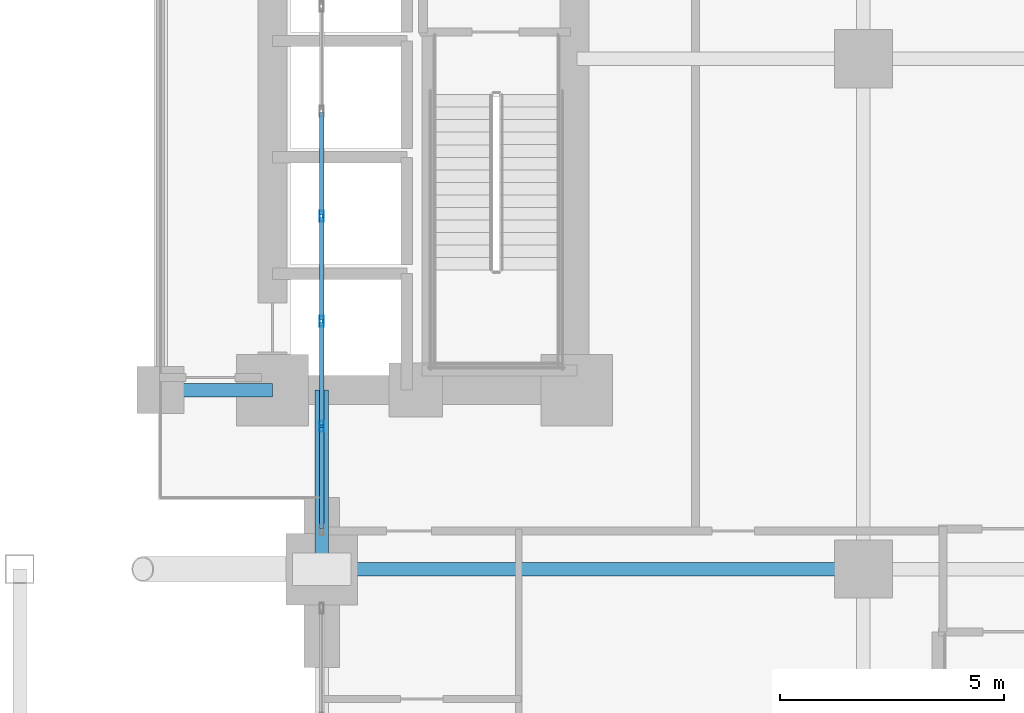
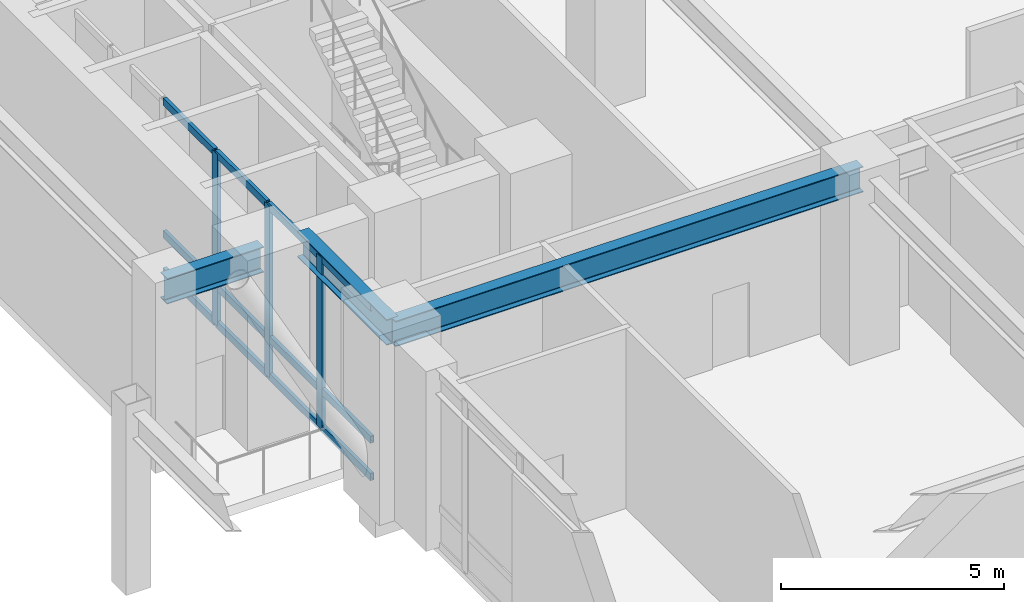
# One storey, part 8 of 27: 15 members, 3 beams, 1 element without a shape of its own.
"""IFC4 building model written with IfcOpenShell, lengths in metres."""

from ifc_helpers import new_model, si_unit, direction, frame, origin, origin_2d, place, context, subcontext, project, spatial, hollow_rectangle, i_section, extrude, material, layer, layer_set, material_profile, profile_set, type_object, element, aggregate, save


model = new_model("IFC4")

# Units and contexts
model_context = context("Model", 3, precision=1e-05, world=origin(), true_north=direction((0.0, 1.0)))
body_context = subcontext(model_context, "Body", "Model", "MODEL_VIEW")
ifc_project = project(units=[si_unit("LENGTHUNIT", "METRE"), si_unit("AREAUNIT", "SQUARE_METRE"), si_unit("VOLUMEUNIT", "CUBIC_METRE"), si_unit("PLANEANGLEUNIT", "RADIAN"), si_unit("MASSUNIT", "GRAM", prefix="KILO")], contexts=[model_context])

# Site, building, storey
site_placement = place(None, origin())
site = spatial("IfcSite", under=ifc_project, at=site_placement, CompositionType="ELEMENT")
building_placement = place(site_placement, origin())
building = spatial("IfcBuilding", under=site, at=building_placement, Name="Voryun Gate Residences", CompositionType="ELEMENT")
storey_placement = place(building_placement, frame((0.0, 0.0, 5.199951171875)))
storey = spatial("IfcBuildingStorey", under=building, at=storey_placement, Name="L01", CompositionType="ELEMENT", Elevation=5.199951171875)

# Beams
ifc_material_1 = material(Name="Steel SM355", Category="steel")
ifc_material_profile_1 = material_profile(ifc_material_1, i_section(OverallWidth=0.300048828125, OverallDepth=0.699951171875, WebThickness=0.012939453125, FlangeThickness=0.02392578125, FilletRadius=0.01806640625, at=origin_2d()), Name="H-700x300x13x24")
ifc_profile_set_1 = profile_set([ifc_material_profile_1], Name="Steel SM355")
beam_type = type_object("IfcBeamType", Name="BM_GIRD_700", PredefinedType="USERDEFINED", material=ifc_profile_set_1)
beam_1_placement = place(storey_placement, frame((12.39990234375, -7.39990234375, 4.570068359375), z_axis=(-1.0, 0.0, 0.0), x_axis=(0.0, -1.0, 0.0)))
element("IfcBeam", 1, at=beam_1_placement, inside=storey, type_object=beam_type, Name="BM-L01-CLRX-CLR-ES", ObjectType="GIRDER", PredefinedType="USERDEFINED", context=body_context, shape_type="SweptSolid", body=[
    extrude(i_section(OverallWidth=0.300048828125, OverallDepth=0.699951171875, WebThickness=0.012939453125, FlangeThickness=0.02392578125, FilletRadius=0.01806640625, at=origin_2d()), origin(), (0.0, 0.0, 1.0), 2.5),
])
beam_2_placement = place(storey_placement, frame((13.5, -11.39990234375, 4.570068359375), z_axis=(1.0, 0.0, 0.0), x_axis=(0.0, 1.0, 0.0)))
element("IfcBeam", 2, at=beam_2_placement, inside=storey, type_object=beam_type, Name="BM-L01-PEX--11.4-0", ObjectType="GIRDER", PredefinedType="USERDEFINED", context=body_context, shape_type="SweptSolid", body=[
    extrude(i_section(OverallWidth=0.300048828125, OverallDepth=0.699951171875, WebThickness=0.012939453125, FlangeThickness=0.02392578125, FilletRadius=0.01806640625, at=origin_2d()), origin(), (0.0, 0.0, 1.0), 12.10009765625),
])
beam_3_placement = place(storey_placement, frame((13.5, -11.39990234375, 4.570068359375), z_axis=(0.0, 1.0, 0.0), x_axis=(-1.0, 0.0, 0.0)))
element("IfcBeam", 3, at=beam_3_placement, inside=storey, type_object=beam_type, Name="BM-L01-PEYA--11.4", ObjectType="GIRDER", PredefinedType="USERDEFINED", context=body_context, shape_type="SweptSolid", body=[
    extrude(i_section(OverallWidth=0.300048828125, OverallDepth=0.699951171875, WebThickness=0.012939453125, FlangeThickness=0.02392578125, FilletRadius=0.01806640625, at=origin_2d()), origin(), (0.0, 0.0, 1.0), 4.0),
])

# Curtain wall, members
ifc_material_2 = material(Name="Anodised aluminium", Category="aluminium")
ifc_layer = layer(ifc_material_2, 0.239990234375, Name="CW_SYS_ARCH_DARK_GLASS")
ifc_layer_set = layer_set([ifc_layer], Name="Anodised aluminium")
curtain_wall_type = type_object("IfcCurtainWallType", Name="CW_SYS_ARCH_DARK_GLASS", PredefinedType="NOTDEFINED", material=ifc_layer_set)
curtain_wall_placement = place(storey_placement, origin())
curtain_wall = element("IfcCurtainWall", 4, at=curtain_wall_placement, inside=storey, type_object=curtain_wall_type, Name="Curtain wall CW2-L01-EP-M", PredefinedType="NOTDEFINED")
ifc_material_3 = material(Name="Anodised aluminium", Category="aluminium")
ifc_material_profile_2 = material_profile(ifc_material_3, hollow_rectangle(XDim=0.090087890625, YDim=0.239990234375, WallThickness=0.006103515625, at=origin_2d()), Name="ALU-MULL-240x90x6")
ifc_profile_set_2 = profile_set([ifc_material_profile_2], Name="Anodised aluminium")
member_type_1 = type_object("IfcMemberType", Name="CW_MULL_ARCH", PredefinedType="MULLION", material=ifc_profile_set_2)
member_1_placement = place(storey_placement, frame((13.5, -8.20947265625, 0.0), z_axis=(0.0, 0.0, 1.0), x_axis=(-1.0, 0.0, 0.0)))
member_1 = element("IfcMember", 5, at=member_1_placement, type_object=member_type_1, Name="CW2 mullion 2", PredefinedType="MULLION", context=body_context, shape_type="SweptSolid", body=[
    extrude(hollow_rectangle(XDim=0.090087890625, YDim=0.239990234375, WallThickness=0.006103515625, at=origin_2d()), origin(), (0.0, 0.0, 1.0), 4.699951171875),
])
member_2_placement = place(storey_placement, frame((13.5, -5.86376953125, 0.0), z_axis=(0.0, 0.0, 1.0), x_axis=(-1.0, 0.0, 0.0)))
member_2 = element("IfcMember", 6, at=member_2_placement, type_object=member_type_1, Name="CW2 mullion 3", PredefinedType="MULLION", context=body_context, shape_type="SweptSolid", body=[
    extrude(hollow_rectangle(XDim=0.090087890625, YDim=0.239990234375, WallThickness=0.006103515625, at=origin_2d()), origin(), (0.0, 0.0, 1.0), 4.699951171875),
])
member_3_placement = place(storey_placement, frame((13.5, -3.518310546875, 0.0), z_axis=(0.0, 0.0, 1.0), x_axis=(-1.0, 0.0, 0.0)))
member_3 = element("IfcMember", 7, at=member_3_placement, type_object=member_type_1, Name="CW2 mullion 4", PredefinedType="MULLION", context=body_context, shape_type="SweptSolid", body=[
    extrude(hollow_rectangle(XDim=0.090087890625, YDim=0.239990234375, WallThickness=0.006103515625, at=origin_2d()), origin(), (0.0, 0.0, 1.0), 4.699951171875),
])
ifc_material_4 = material(Name="Anodised aluminium", Category="aluminium")
ifc_material_profile_3 = material_profile(ifc_material_4, hollow_rectangle(XDim=0.090087890625, YDim=0.199951171875, WallThickness=0.006103515625, at=origin_2d()), Name="ALU-TRAN-200x90x6")
ifc_profile_set_3 = profile_set([ifc_material_profile_3], Name="Anodised aluminium")
member_type_2 = type_object("IfcMemberType", Name="CW_TRAN_ARCH", PredefinedType="USERDEFINED", material=ifc_profile_set_3)
member_4_placement = place(storey_placement, frame((13.5, -10.4951171875, 0.030029296875), z_axis=(0.0, 1.0, 0.0), x_axis=(-1.0, 0.0, 0.0)))
member_4 = element("IfcMember", 8, at=member_4_placement, type_object=member_type_2, Name="CW2 transom 1.1", ObjectType="TRANSOM", PredefinedType="USERDEFINED", context=body_context, shape_type="SweptSolid", body=[
    extrude(hollow_rectangle(XDim=0.090087890625, YDim=0.199951171875, WallThickness=0.006103515625, at=origin_2d()), origin(), (0.0, 0.0, 1.0), 2.255615234375),
])
member_5_placement = place(storey_placement, frame((13.5, -10.4951171875, 1.050048828125), z_axis=(0.0, 1.0, 0.0), x_axis=(-1.0, 0.0, 0.0)))
member_5 = element("IfcMember", 9, at=member_5_placement, type_object=member_type_2, Name="CW2 transom 1.2", ObjectType="TRANSOM", PredefinedType="USERDEFINED", context=body_context, shape_type="SweptSolid", body=[
    extrude(hollow_rectangle(XDim=0.090087890625, YDim=0.199951171875, WallThickness=0.006103515625, at=origin_2d()), origin(), (0.0, 0.0, 1.0), 2.255615234375),
])
member_6_placement = place(storey_placement, frame((13.5, -10.4951171875, 4.670166015625), z_axis=(0.0, 1.0, 0.0), x_axis=(-1.0, 0.0, 0.0)))
member_6 = element("IfcMember", 10, at=member_6_placement, type_object=member_type_2, Name="CW2 transom 1.3", ObjectType="TRANSOM", PredefinedType="USERDEFINED", context=body_context, shape_type="SweptSolid", body=[
    extrude(hollow_rectangle(XDim=0.090087890625, YDim=0.199951171875, WallThickness=0.006103515625, at=origin_2d()), origin(), (0.0, 0.0, 1.0), 2.255615234375),
])
member_7_placement = place(storey_placement, frame((13.5, -8.179443359375, 0.030029296875), z_axis=(0.0, 1.0, 0.0), x_axis=(-1.0, 0.0, 0.0)))
member_7 = element("IfcMember", 11, at=member_7_placement, type_object=member_type_2, Name="CW2 transom 2.1", ObjectType="TRANSOM", PredefinedType="USERDEFINED", context=body_context, shape_type="SweptSolid", body=[
    extrude(hollow_rectangle(XDim=0.090087890625, YDim=0.199951171875, WallThickness=0.006103515625, at=origin_2d()), origin(), (0.0, 0.0, 1.0), 2.28564453125),
])
member_8_placement = place(storey_placement, frame((13.5, -8.179443359375, 1.050048828125), z_axis=(0.0, 1.0, 0.0), x_axis=(-1.0, 0.0, 0.0)))
member_8 = element("IfcMember", 12, at=member_8_placement, type_object=member_type_2, Name="CW2 transom 2.2", ObjectType="TRANSOM", PredefinedType="USERDEFINED", context=body_context, shape_type="SweptSolid", body=[
    extrude(hollow_rectangle(XDim=0.090087890625, YDim=0.199951171875, WallThickness=0.006103515625, at=origin_2d()), origin(), (0.0, 0.0, 1.0), 2.28564453125),
])
member_9_placement = place(storey_placement, frame((13.5, -8.179443359375, 4.670166015625), z_axis=(0.0, 1.0, 0.0), x_axis=(-1.0, 0.0, 0.0)))
member_9 = element("IfcMember", 13, at=member_9_placement, type_object=member_type_2, Name="CW2 transom 2.3", ObjectType="TRANSOM", PredefinedType="USERDEFINED", context=body_context, shape_type="SweptSolid", body=[
    extrude(hollow_rectangle(XDim=0.090087890625, YDim=0.199951171875, WallThickness=0.006103515625, at=origin_2d()), origin(), (0.0, 0.0, 1.0), 2.28564453125),
])
member_10_placement = place(storey_placement, frame((13.5, -5.833984375, 0.030029296875), z_axis=(0.0, 1.0, 0.0), x_axis=(-1.0, 0.0, 0.0)))
member_10 = element("IfcMember", 14, at=member_10_placement, type_object=member_type_2, Name="CW2 transom 3.1", ObjectType="TRANSOM", PredefinedType="USERDEFINED", context=body_context, shape_type="SweptSolid", body=[
    extrude(hollow_rectangle(XDim=0.090087890625, YDim=0.199951171875, WallThickness=0.006103515625, at=origin_2d()), origin(), (0.0, 0.0, 1.0), 2.28564453125),
])
member_11_placement = place(storey_placement, frame((13.5, -5.833984375, 1.050048828125), z_axis=(0.0, 1.0, 0.0), x_axis=(-1.0, 0.0, 0.0)))
member_11 = element("IfcMember", 15, at=member_11_placement, type_object=member_type_2, Name="CW2 transom 3.2", ObjectType="TRANSOM", PredefinedType="USERDEFINED", context=body_context, shape_type="SweptSolid", body=[
    extrude(hollow_rectangle(XDim=0.090087890625, YDim=0.199951171875, WallThickness=0.006103515625, at=origin_2d()), origin(), (0.0, 0.0, 1.0), 2.28564453125),
])
member_12_placement = place(storey_placement, frame((13.5, -5.833984375, 4.670166015625), z_axis=(0.0, 1.0, 0.0), x_axis=(-1.0, 0.0, 0.0)))
member_12 = element("IfcMember", 16, at=member_12_placement, type_object=member_type_2, Name="CW2 transom 3.3", ObjectType="TRANSOM", PredefinedType="USERDEFINED", context=body_context, shape_type="SweptSolid", body=[
    extrude(hollow_rectangle(XDim=0.090087890625, YDim=0.199951171875, WallThickness=0.006103515625, at=origin_2d()), origin(), (0.0, 0.0, 1.0), 2.28564453125),
])
member_13_placement = place(storey_placement, frame((13.5, -3.48828125, 0.030029296875), z_axis=(0.0, 1.0, 0.0), x_axis=(-1.0, 0.0, 0.0)))
member_13 = element("IfcMember", 17, at=member_13_placement, type_object=member_type_2, Name="CW2 transom 4.1", ObjectType="TRANSOM", PredefinedType="USERDEFINED", context=body_context, shape_type="SweptSolid", body=[
    extrude(hollow_rectangle(XDim=0.090087890625, YDim=0.199951171875, WallThickness=0.006103515625, at=origin_2d()), origin(), (0.0, 0.0, 1.0), 2.285400390625),
])
member_14_placement = place(storey_placement, frame((13.5, -3.48828125, 1.050048828125), z_axis=(0.0, 1.0, 0.0), x_axis=(-1.0, 0.0, 0.0)))
member_14 = element("IfcMember", 18, at=member_14_placement, type_object=member_type_2, Name="CW2 transom 4.2", ObjectType="TRANSOM", PredefinedType="USERDEFINED", context=body_context, shape_type="SweptSolid", body=[
    extrude(hollow_rectangle(XDim=0.090087890625, YDim=0.199951171875, WallThickness=0.006103515625, at=origin_2d()), origin(), (0.0, 0.0, 1.0), 2.285400390625),
])
member_15_placement = place(storey_placement, frame((13.5, -3.48828125, 4.670166015625), z_axis=(0.0, 1.0, 0.0), x_axis=(-1.0, 0.0, 0.0)))
member_15 = element("IfcMember", 19, at=member_15_placement, type_object=member_type_2, Name="CW2 transom 4.3", ObjectType="TRANSOM", PredefinedType="USERDEFINED", context=body_context, shape_type="SweptSolid", body=[
    extrude(hollow_rectangle(XDim=0.090087890625, YDim=0.199951171875, WallThickness=0.006103515625, at=origin_2d()), origin(), (0.0, 0.0, 1.0), 2.285400390625),
])
aggregate(curtain_wall, [member_1, member_2, member_3, member_4, member_5, member_6, member_7, member_8, member_9, member_10, member_11, member_12, member_13, member_14, member_15])

save(model, "model.ifc")
